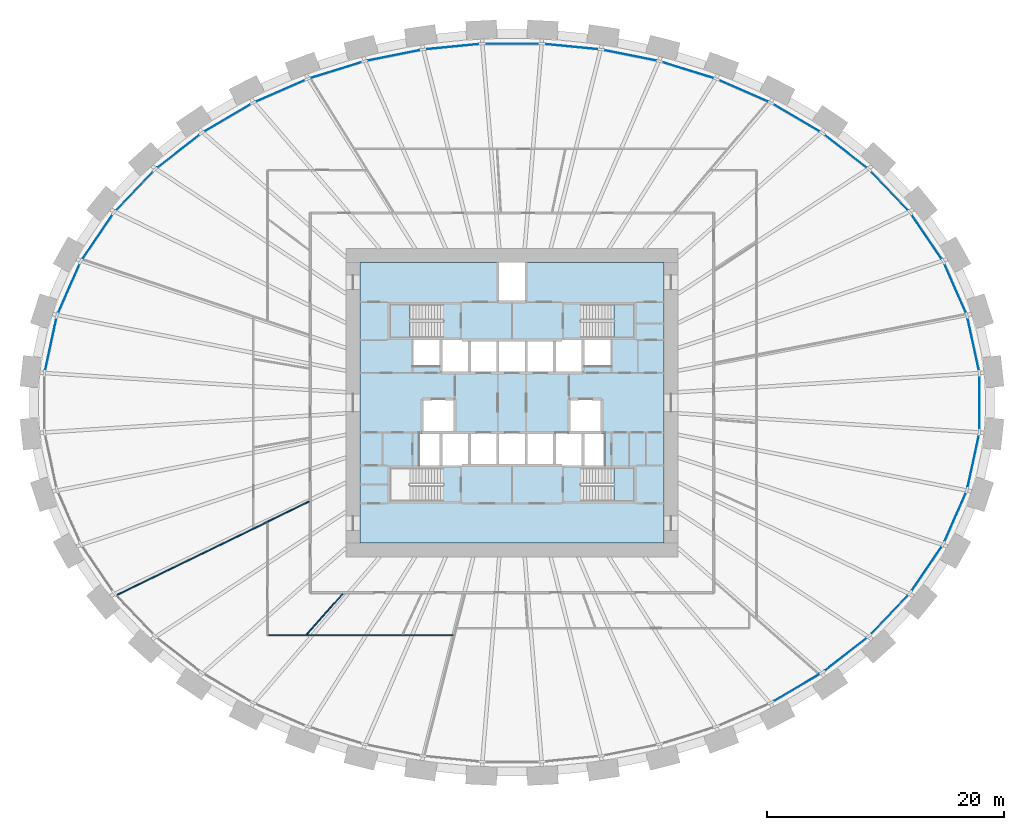
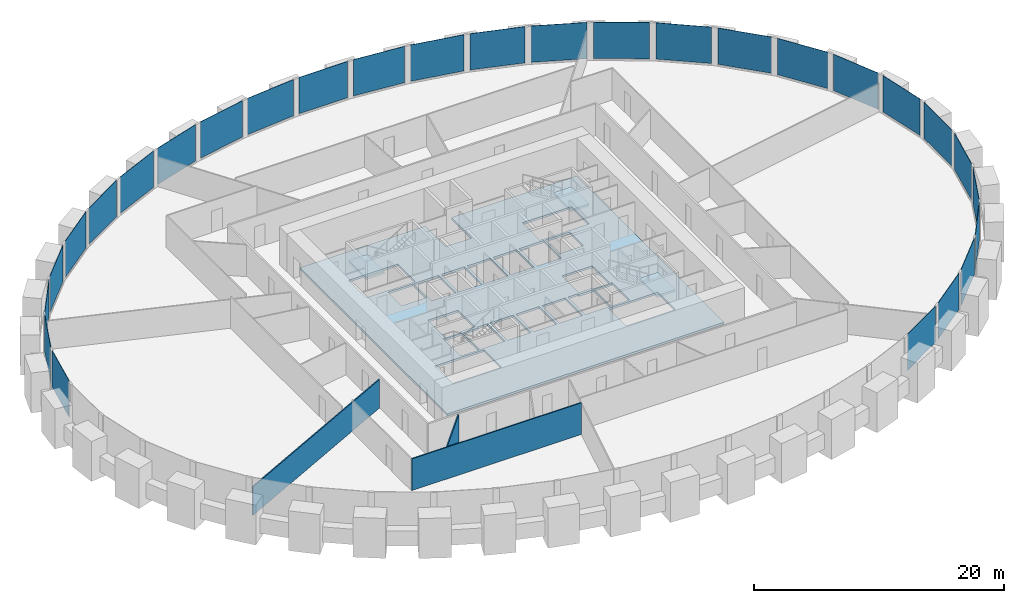
# One storey, part 5 of 11: 28 plates, 4 slabs, 3 walls, 4 elements without a shape of their own.
"""IFC4 building model written with IfcOpenShell, lengths in metres."""

from ifc_helpers import new_model, si_unit, direction, frame, frame_2d, origin, origin_2d, place, context, subcontext, project, spatial, polyline, rectangle, outline, extrude, source, transform, mapped, material, layer, layer_set, type_object, element, aggregate, save


model = new_model("IFC4")

# Units and contexts
model_context = context("Model", 3, precision=1e-05, world=origin(), true_north=direction((0.0, 1.0)))
body_context = subcontext(model_context, "Body", "Model", "MODEL_VIEW")
ifc_project = project(units=[si_unit("LENGTHUNIT", "METRE"), si_unit("AREAUNIT", "SQUARE_METRE"), si_unit("VOLUMEUNIT", "CUBIC_METRE"), si_unit("PLANEANGLEUNIT", "RADIAN"), si_unit("MASSUNIT", "GRAM", prefix="KILO")], contexts=[model_context])

# Site, building, storey
site_placement = place(None, origin())
site = spatial("IfcSite", under=ifc_project, at=site_placement, CompositionType="ELEMENT")
building_placement = place(site_placement, origin())
building = spatial("IfcBuilding", under=site, at=building_placement, Name="Embergate Tower", CompositionType="ELEMENT")
storey_placement = place(building_placement, frame((0.0, 0.0, 58.10009765625)))
storey = spatial("IfcBuildingStorey", under=building, at=storey_placement, Name="L10", CompositionType="ELEMENT", Elevation=58.10009765625)

# Curtain wall, plates
ifc_material_1 = material(Name="Aluminium and glass", Category="aluminium")
curtain_wall_type = type_object("IfcCurtainWallType", Name="Recessed office glazing", PredefinedType="NOTDEFINED", material=ifc_material_1)
curtain_wall_placement = place(storey_placement, origin())
curtain_wall = element("IfcCurtainWall", 1, at=curtain_wall_placement, inside=storey, type_object=curtain_wall_type, Name="Recessed office glazing ring", ObjectType="RECESSED OFFICE GLAZING", PredefinedType="USERDEFINED")
ifc_material_2 = material(Name="Triple glazing, low-emissivity coating", Category="glass")
ifc_layer_1 = layer(ifc_material_2, 0.035888671875)
ifc_layer_set_1 = layer_set([ifc_layer_1], Name="Triple glazing, low-emissivity coating")
plate_type = type_object("IfcPlateType", Name="Office glazing unit", PredefinedType="CURTAIN_PANEL", material=ifc_layer_set_1)
shared_shape_1 = source(origin(), body_context, "Body", "SweptSolid", [
    extrude(rectangle(XDim=4.453857421875, YDim=0.035888671875, at=origin_2d()), origin(), (0.0, 0.0, 1.0), 3.550048828125),
])
plate_1_placement = place(storey_placement, frame((38.87060546875, 4.916748046875, 0.14990234375), z_axis=(0.0, 0.0, 1.0), x_axis=(-0.210391566126, 0.977617199574, 0.0)))
plate_1 = element("IfcPlate", 2, at=plate_1_placement, type_object=plate_type, Name="CW panel 1.1", PredefinedType="CURTAIN_PANEL", context=body_context, shape_type="MappedRepresentation", body=[
    mapped(shared_shape_1, transform((0.0, 0.0, 0.0))),
])
plate_2_placement = place(storey_placement, frame((-38.87060546875, 4.916748046875, 0.14990234375), z_axis=(0.0, 0.0, 1.0), x_axis=(-0.210391566126, -0.977617199574, 0.0)))
plate_2 = element("IfcPlate", 3, at=plate_2_placement, type_object=plate_type, Name="CW panel 21.1", PredefinedType="CURTAIN_PANEL", context=body_context, shape_type="MappedRepresentation", body=[
    mapped(shared_shape_1, transform((0.0, 0.0, 0.0))),
])
plate_3_placement = place(storey_placement, frame((38.87060546875, -4.916748046875, 0.14990234375), z_axis=(0.0, 0.0, 1.0), x_axis=(0.210391566126, 0.977617199574, 0.0)))
plate_3 = element("IfcPlate", 4, at=plate_3_placement, type_object=plate_type, Name="CW panel 43.1", PredefinedType="CURTAIN_PANEL", context=body_context, shape_type="MappedRepresentation", body=[
    mapped(shared_shape_1, transform((0.0, 0.0, 0.0))),
])
shared_shape_2 = source(origin(), body_context, "Body", "SweptSolid", [
    extrude(rectangle(XDim=4.460693359375, YDim=0.035888671875, at=origin_2d()), origin(), (0.0, 0.0, 1.0), 3.550048828125),
])
plate_4_placement = place(storey_placement, frame((37.34716796875, 9.628662109375, 0.14990234375), z_axis=(0.0, 0.0, 1.0), x_axis=(-0.401644109346, 0.915795833921, 0.0)))
plate_4 = element("IfcPlate", 5, at=plate_4_placement, type_object=plate_type, Name="CW panel 2.1", PredefinedType="CURTAIN_PANEL", context=body_context, shape_type="MappedRepresentation", body=[
    mapped(shared_shape_2, transform((0.0, 0.0, 0.0))),
])
plate_5_placement = place(storey_placement, frame((-37.34716796875, 9.628662109375, 0.14990234375), z_axis=(0.0, 0.0, 1.0), x_axis=(-0.401644109346, -0.915795833921, 0.0)))
plate_5 = element("IfcPlate", 6, at=plate_5_placement, type_object=plate_type, Name="CW panel 20.1", PredefinedType="CURTAIN_PANEL", context=body_context, shape_type="MappedRepresentation", body=[
    mapped(shared_shape_2, transform((0.0, 0.0, 0.0))),
])
plate_6_placement = place(storey_placement, frame((37.34716796875, -9.628662109375, 0.14990234375), z_axis=(0.0, 0.0, 1.0), x_axis=(0.401644109346, 0.915795833921, 0.0)))
plate_6 = element("IfcPlate", 7, at=plate_6_placement, type_object=plate_type, Name="CW panel 42.1", PredefinedType="CURTAIN_PANEL", context=body_context, shape_type="MappedRepresentation", body=[
    mapped(shared_shape_2, transform((0.0, 0.0, 0.0))),
])
shared_shape_3 = source(origin(), body_context, "Body", "SweptSolid", [
    extrude(rectangle(XDim=4.4697265625, YDim=0.035888671875, at=origin_2d()), origin(), (0.0, 0.0, 1.0), 3.550048828125),
])
plate_7_placement = place(storey_placement, frame((34.94384765625, 13.972412109375, 0.14990234375), z_axis=(0.0, 0.0, 1.0), x_axis=(-0.562331639324, 0.826911801473, 0.0)))
plate_7 = element("IfcPlate", 8, at=plate_7_placement, type_object=plate_type, Name="CW panel 3.1", PredefinedType="CURTAIN_PANEL", context=body_context, shape_type="MappedRepresentation", body=[
    mapped(shared_shape_3, transform((0.0, 0.0, 0.0))),
])
plate_8_placement = place(storey_placement, frame((-34.94384765625, 13.972412109375, 0.14990234375), z_axis=(0.0, 0.0, 1.0), x_axis=(-0.562331639324, -0.826911801473, 0.0)))
plate_8 = element("IfcPlate", 9, at=plate_8_placement, type_object=plate_type, Name="CW panel 19.1", PredefinedType="CURTAIN_PANEL", context=body_context, shape_type="MappedRepresentation", body=[
    mapped(shared_shape_3, transform((0.0, 0.0, 0.0))),
])
plate_9_placement = place(storey_placement, frame((34.94384765625, -13.972412109375, 0.14990234375), z_axis=(0.0, 0.0, 1.0), x_axis=(0.562331639324, 0.826911801473, 0.0)))
plate_9 = element("IfcPlate", 10, at=plate_9_placement, type_object=plate_type, Name="CW panel 41.1", PredefinedType="CURTAIN_PANEL", context=body_context, shape_type="MappedRepresentation", body=[
    mapped(shared_shape_3, transform((0.0, 0.0, 0.0))),
])
shared_shape_4 = source(origin(), body_context, "Body", "SweptSolid", [
    extrude(rectangle(XDim=4.478515625, YDim=0.035888671875, at=origin_2d()), origin(), (0.0, 0.0, 1.0), 3.550048828125),
])
plate_10_placement = place(storey_placement, frame((31.816162109375, 17.84423828125, 0.14990234375), z_axis=(0.0, 0.0, 1.0), x_axis=(-0.690124942972, 0.723690239735, 0.0)))
plate_10 = element("IfcPlate", 11, at=plate_10_placement, type_object=plate_type, Name="CW panel 4.1", PredefinedType="CURTAIN_PANEL", context=body_context, shape_type="MappedRepresentation", body=[
    mapped(shared_shape_4, transform((0.0, 0.0, 0.0))),
])
plate_11_placement = place(storey_placement, frame((-31.816162109375, 17.84423828125, 0.14990234375), z_axis=(0.0, 0.0, 1.0), x_axis=(-0.690124942972, -0.723690239735, 0.0)))
plate_11 = element("IfcPlate", 12, at=plate_11_placement, type_object=plate_type, Name="CW panel 18.1", PredefinedType="CURTAIN_PANEL", context=body_context, shape_type="MappedRepresentation", body=[
    mapped(shared_shape_4, transform((0.0, 0.0, 0.0))),
])
plate_12_placement = place(storey_placement, frame((31.816162109375, -17.84423828125, 0.14990234375), z_axis=(0.0, 0.0, 1.0), x_axis=(0.690124942972, 0.723690239735, 0.0)))
plate_12 = element("IfcPlate", 13, at=plate_12_placement, type_object=plate_type, Name="CW panel 40.1", PredefinedType="CURTAIN_PANEL", context=body_context, shape_type="MappedRepresentation", body=[
    mapped(shared_shape_4, transform((0.0, 0.0, 0.0))),
])
shared_shape_5 = source(origin(), body_context, "Body", "SweptSolid", [
    extrude(rectangle(XDim=4.486083984375, YDim=0.035888671875, at=origin_2d()), origin(), (0.0, 0.0, 1.0), 3.550048828125),
])
plate_13_placement = place(storey_placement, frame((28.1181640625, 21.19287109375, 0.14990234375), z_axis=(0.0, 0.0, 1.0), x_axis=(-0.788312602312, 0.615274931259, 0.0)))
plate_13 = element("IfcPlate", 14, at=plate_13_placement, type_object=plate_type, Name="CW panel 5.1", PredefinedType="CURTAIN_PANEL", context=body_context, shape_type="MappedRepresentation", body=[
    mapped(shared_shape_5, transform((0.0, 0.0, 0.0))),
])
plate_14_placement = place(storey_placement, frame((-28.1181640625, 21.19287109375, 0.14990234375), z_axis=(0.0, 0.0, 1.0), x_axis=(-0.788312602312, -0.615274931259, 0.0)))
plate_14 = element("IfcPlate", 15, at=plate_14_placement, type_object=plate_type, Name="CW panel 17.1", PredefinedType="CURTAIN_PANEL", context=body_context, shape_type="MappedRepresentation", body=[
    mapped(shared_shape_5, transform((0.0, 0.0, 0.0))),
])
plate_15_placement = place(storey_placement, frame((28.1181640625, -21.19287109375, 0.14990234375), z_axis=(0.0, 0.0, 1.0), x_axis=(0.788312602312, 0.615274931259, 0.0)))
plate_15 = element("IfcPlate", 16, at=plate_15_placement, type_object=plate_type, Name="CW panel 39.1", PredefinedType="CURTAIN_PANEL", context=body_context, shape_type="MappedRepresentation", body=[
    mapped(shared_shape_5, transform((0.0, 0.0, 0.0))),
])
shared_shape_6 = source(origin(), body_context, "Body", "SweptSolid", [
    extrude(rectangle(XDim=4.491943359375, YDim=0.035888671875, at=origin_2d()), origin(), (0.0, 0.0, 1.0), 3.550048828125),
])
plate_16_placement = place(storey_placement, frame((23.98486328125, 24.0029296875, 0.14990234375), z_axis=(0.0, 0.0, 1.0), x_axis=(-0.86204786038, 0.506826880122, 0.0)))
plate_16 = element("IfcPlate", 17, at=plate_16_placement, type_object=plate_type, Name="CW panel 6.1", PredefinedType="CURTAIN_PANEL", context=body_context, shape_type="MappedRepresentation", body=[
    mapped(shared_shape_6, transform((0.0, 0.0, 0.0))),
])
plate_17_placement = place(storey_placement, frame((-23.98486328125, 24.0029296875, 0.14990234375), z_axis=(0.0, 0.0, 1.0), x_axis=(-0.86204786038, -0.506826880122, 0.0)))
plate_17 = element("IfcPlate", 18, at=plate_17_placement, type_object=plate_type, Name="CW panel 16.1", PredefinedType="CURTAIN_PANEL", context=body_context, shape_type="MappedRepresentation", body=[
    mapped(shared_shape_6, transform((0.0, 0.0, 0.0))),
])
plate_18_placement = place(storey_placement, frame((23.98486328125, -24.0029296875, 0.14990234375), z_axis=(0.0, 0.0, 1.0), x_axis=(0.86204786038, 0.506826880122, 0.0)))
plate_18 = element("IfcPlate", 19, at=plate_18_placement, type_object=plate_type, Name="CW panel 38.1", PredefinedType="CURTAIN_PANEL", context=body_context, shape_type="MappedRepresentation", body=[
    mapped(shared_shape_6, transform((0.0, 0.0, 0.0))),
])
shared_shape_7 = source(origin(), body_context, "Body", "SweptSolid", [
    extrude(rectangle(XDim=4.49658203125, YDim=0.035888671875, at=origin_2d()), origin(), (0.0, 0.0, 1.0), 3.550048828125),
])
plate_19_placement = place(storey_placement, frame((19.5263671875, 26.278076171875, 0.14990234375), z_axis=(0.0, 0.0, 1.0), x_axis=(-0.916232715476, 0.400646491426, 0.0)))
plate_19 = element("IfcPlate", 20, at=plate_19_placement, type_object=plate_type, Name="CW panel 7.1", PredefinedType="CURTAIN_PANEL", context=body_context, shape_type="MappedRepresentation", body=[
    mapped(shared_shape_7, transform((0.0, 0.0, 0.0))),
])
plate_20_placement = place(storey_placement, frame((-19.5263671875, 26.278076171875, 0.14990234375), z_axis=(0.0, 0.0, 1.0), x_axis=(-0.916232715476, -0.400646491426, 0.0)))
plate_20 = element("IfcPlate", 21, at=plate_20_placement, type_object=plate_type, Name="CW panel 15.1", PredefinedType="CURTAIN_PANEL", context=body_context, shape_type="MappedRepresentation", body=[
    mapped(shared_shape_7, transform((0.0, 0.0, 0.0))),
])
shared_shape_8 = source(origin(), body_context, "Body", "SweptSolid", [
    extrude(rectangle(XDim=4.5, YDim=0.035888671875, at=origin_2d()), origin(), (0.0, 0.0, 1.0), 3.550048828125),
])
plate_21_placement = place(storey_placement, frame((14.831787109375, 28.029296875, 0.14990234375), z_axis=(0.0, 0.0, 1.0), x_axis=(-0.954770141339, 0.297344879236, 0.0)))
plate_21 = element("IfcPlate", 22, at=plate_21_placement, type_object=plate_type, Name="CW panel 8.1", PredefinedType="CURTAIN_PANEL", context=body_context, shape_type="MappedRepresentation", body=[
    mapped(shared_shape_8, transform((0.0, 0.0, 0.0))),
])
plate_22_placement = place(storey_placement, frame((-14.831787109375, 28.029296875, 0.14990234375), z_axis=(0.0, 0.0, 1.0), x_axis=(-0.954770141339, -0.297344879236, 0.0)))
plate_22 = element("IfcPlate", 23, at=plate_22_placement, type_object=plate_type, Name="CW panel 14.1", PredefinedType="CURTAIN_PANEL", context=body_context, shape_type="MappedRepresentation", body=[
    mapped(shared_shape_8, transform((0.0, 0.0, 0.0))),
])
shared_shape_9 = source(origin(), body_context, "Body", "SweptSolid", [
    extrude(rectangle(XDim=4.502197265625, YDim=0.035888671875, at=origin_2d()), origin(), (0.0, 0.0, 1.0), 3.550048828125),
])
plate_23_placement = place(storey_placement, frame((9.97314453125, 29.269287109375, 0.14990234375), z_axis=(0.0, 0.0, 1.0), x_axis=(-0.980474877795, 0.196644384646, 0.0)))
plate_23 = element("IfcPlate", 24, at=plate_23_placement, type_object=plate_type, Name="CW panel 9.1", PredefinedType="CURTAIN_PANEL", context=body_context, shape_type="MappedRepresentation", body=[
    mapped(shared_shape_9, transform((0.0, 0.0, 0.0))),
])
plate_24_placement = place(storey_placement, frame((-9.97314453125, 29.269287109375, 0.14990234375), z_axis=(0.0, 0.0, 1.0), x_axis=(-0.980474877795, -0.196644384646, 0.0)))
plate_24 = element("IfcPlate", 25, at=plate_24_placement, type_object=plate_type, Name="CW panel 13.1", PredefinedType="CURTAIN_PANEL", context=body_context, shape_type="MappedRepresentation", body=[
    mapped(shared_shape_9, transform((0.0, 0.0, 0.0))),
])
shared_shape_10 = source(origin(), body_context, "Body", "SweptSolid", [
    extrude(rectangle(XDim=4.50341796875, YDim=0.035888671875, at=origin_2d()), origin(), (0.0, 0.0, 1.0), 3.550048828125),
])
plate_25_placement = place(storey_placement, frame((5.01171875, 30.009033203125, 0.14990234375), z_axis=(0.0, 0.0, 1.0), x_axis=(-0.995203014042, 0.097831287645, 0.0)))
plate_25 = element("IfcPlate", 26, at=plate_25_placement, type_object=plate_type, Name="CW panel 10.1", PredefinedType="CURTAIN_PANEL", context=body_context, shape_type="MappedRepresentation", body=[
    mapped(shared_shape_10, transform((0.0, 0.0, 0.0))),
])
plate_26_placement = place(storey_placement, frame((-5.01171875, 30.009033203125, 0.14990234375), z_axis=(0.0, 0.0, 1.0), x_axis=(-0.995203014042, -0.097831287645, 0.0)))
plate_26 = element("IfcPlate", 27, at=plate_26_placement, type_object=plate_type, Name="CW panel 12.1", PredefinedType="CURTAIN_PANEL", context=body_context, shape_type="MappedRepresentation", body=[
    mapped(shared_shape_10, transform((0.0, 0.0, 0.0))),
])
shared_shape_11 = source(origin(), body_context, "Body", "SweptSolid", [
    extrude(rectangle(XDim=4.50390625, YDim=0.035888671875, at=origin_2d()), origin(), (0.0, 0.0, 1.0), 3.550048828125),
])
plate_27_placement = place(storey_placement, frame((0.0, 30.254638671875, 0.14990234375), z_axis=(0.0, 0.0, 1.0), x_axis=(-1.0, 0.0, 0.0)))
plate_27 = element("IfcPlate", 28, at=plate_27_placement, type_object=plate_type, Name="CW panel 11.1", PredefinedType="CURTAIN_PANEL", context=body_context, shape_type="MappedRepresentation", body=[
    mapped(shared_shape_11, transform((0.0, 0.0, 0.0))),
])
shared_shape_12 = source(origin(), body_context, "Body", "SweptSolid", [
    extrude(rectangle(XDim=4.451171875, YDim=0.035888671875, at=origin_2d()), origin(), (0.0, 0.0, 1.0), 3.550048828125),
])
plate_28_placement = place(storey_placement, frame((39.393798828125, 0.0, 0.14990234375), z_axis=(0.0, 0.0, 1.0), x_axis=(0.0, 1.0, 0.0)))
plate_28 = element("IfcPlate", 29, at=plate_28_placement, type_object=plate_type, Name="CW panel 44.1", PredefinedType="CURTAIN_PANEL", context=body_context, shape_type="MappedRepresentation", body=[
    mapped(shared_shape_12, transform((0.0, 0.0, 0.0))),
])
aggregate(curtain_wall, [plate_1, plate_4, plate_7, plate_10, plate_13, plate_16, plate_19, plate_21, plate_23, plate_25, plate_27, plate_26, plate_24, plate_22, plate_20, plate_17, plate_14, plate_11, plate_8, plate_5, plate_2, plate_18, plate_15, plate_12, plate_9, plate_6, plate_3, plate_28])

# Stair, slab
ifc_material_3 = material(Name="Exit stair")
stair_type = type_object("IfcStairType", Name="Exit stair", PredefinedType="HALF_TURN_STAIR", material=ifc_material_3)
stair_1_placement = place(storey_placement, origin())
stair_1 = element("IfcStair", 30, at=stair_1_placement, inside=storey, type_object=stair_type, Name="L10 Exit stair 1", PredefinedType="HALF_TURN_STAIR")
ifc_material_4 = material(Name="Concrete C40", Category="concrete")
ifc_layer_2 = layer(ifc_material_4, 0.199951171875)
ifc_layer_set_2 = layer_set([ifc_layer_2], Name="Concrete C40")
slab_type_1 = type_object("IfcSlabType", Name="Stair landing reinforced concrete", PredefinedType="LANDING", material=ifc_layer_set_2)
shared_shape_13 = source(origin(), body_context, "Body", "SweptSolid", [
    extrude(outline(polyline([(0.0, 0.0), (1.68994140625, 0.0), (1.68994140625, 2.800048828125), (0.0, 2.800048828125), (0.0, 0.0)])), origin(), (0.0, 0.0, 1.0), 0.199951171875),
])
slab_1_placement = place(storey_placement, frame((-10.300048828125, 5.5, 1.75)))
slab_1 = element("IfcSlab", 31, at=slab_1_placement, type_object=slab_type_1, Name="ST1 landing 1", PredefinedType="LANDING", context=body_context, shape_type="MappedRepresentation", body=[
    mapped(shared_shape_13, transform((0.0, 0.0, 0.0))),
])
aggregate(stair_1, [slab_1])

stair_2_placement = place(storey_placement, origin())
stair_2 = element("IfcStair", 32, at=stair_2_placement, inside=storey, type_object=stair_type, Name="L10 Exit stair 2", PredefinedType="HALF_TURN_STAIR")
slab_2_placement = place(storey_placement, frame((8.610107421875, 5.5, 1.75)))
slab_2 = element("IfcSlab", 33, at=slab_2_placement, type_object=slab_type_1, Name="ST2 landing 1", PredefinedType="LANDING", context=body_context, shape_type="MappedRepresentation", body=[
    mapped(shared_shape_13, transform((0.0, 0.0, 0.0))),
])
aggregate(stair_2, [slab_2])

stair_3_placement = place(storey_placement, origin())
stair_3 = element("IfcStair", 34, at=stair_3_placement, inside=storey, type_object=stair_type, Name="L10 Exit stair 4", PredefinedType="HALF_TURN_STAIR")
slab_3_placement = place(storey_placement, frame((8.610107421875, -8.300048828125, 1.75)))
slab_3 = element("IfcSlab", 35, at=slab_3_placement, type_object=slab_type_1, Name="ST4 landing 1", PredefinedType="LANDING", context=body_context, shape_type="MappedRepresentation", body=[
    mapped(shared_shape_13, transform((0.0, 0.0, 0.0))),
])
aggregate(stair_3, [slab_3])

# Slab
ifc_layer_3 = layer(ifc_material_4, 0.199951171875)
ifc_layer_set_3 = layer_set([ifc_layer_3], Name="Concrete C40")
slab_type_2 = type_object("IfcSlabType", Name="Core floor slab 200 reinforced concrete", PredefinedType="FLOOR", material=ifc_layer_set_3)
shared_shape_14 = source(origin(), body_context, "Body", "SweptSolid", [
    extrude(outline(polyline([(0.0, 0.0), (25.60009765625, 0.0), (25.60009765625, 23.60009765625), (14.0, 23.60009765625), (14.0, 20.300048828125), (11.60009765625, 20.300048828125), (11.60009765625, 23.60009765625), (0.0, 23.60009765625), (0.0, 0.0)]), holes=[polyline([(2.5, 3.5), (2.5, 6.300048828125), (7.0400390625, 6.300048828125), (7.0400390625, 3.5), (2.5, 3.5)]), polyline([(18.56005859375, 3.5), (18.56005859375, 6.300048828125), (23.10009765625, 6.300048828125), (23.10009765625, 3.5), (18.56005859375, 3.5)]), polyline([(5.0, 6.5), (5.0, 9.300048828125), (5.074951171875, 9.300048828125), (5.074951171875, 9.175048828125), (6.675048828125, 9.175048828125), (6.675048828125, 6.5), (5.0, 6.5)]), polyline([(6.800048828125, 6.5), (6.800048828125, 9.175048828125), (8.125, 9.175048828125), (8.125, 9.300048828125), (9.074951171875, 9.300048828125), (9.074951171875, 6.5), (6.800048828125, 6.5)]), polyline([(9.324951171875, 6.5), (9.324951171875, 9.300048828125), (11.47509765625, 9.300048828125), (11.47509765625, 6.5), (9.324951171875, 6.5)]), polyline([(11.72509765625, 6.5), (11.72509765625, 9.300048828125), (13.875, 9.300048828125), (13.875, 6.5), (11.72509765625, 6.5)]), polyline([(14.125, 6.5), (14.125, 9.300048828125), (16.275146484375, 9.300048828125), (16.275146484375, 6.5), (14.125, 6.5)]), polyline([(16.525146484375, 6.5), (16.525146484375, 9.300048828125), (17.47509765625, 9.300048828125), (17.47509765625, 9.175048828125), (18.800048828125, 9.175048828125), (18.800048828125, 6.5), (16.525146484375, 6.5)]), polyline([(18.925048828125, 6.5), (18.925048828125, 9.175048828125), (20.525146484375, 9.175048828125), (20.525146484375, 9.300048828125), (20.60009765625, 9.300048828125), (20.60009765625, 6.5), (18.925048828125, 6.5)]), polyline([(5.199951171875, 9.300048828125), (5.199951171875, 12.10009765625), (8.0, 12.10009765625), (8.0, 9.425048828125), (6.675048828125, 9.425048828125), (6.675048828125, 9.300048828125), (5.199951171875, 9.300048828125)]), polyline([(18.925048828125, 9.300048828125), (18.925048828125, 9.425048828125), (17.60009765625, 9.425048828125), (17.60009765625, 12.10009765625), (20.400146484375, 12.10009765625), (20.400146484375, 9.300048828125), (18.925048828125, 9.300048828125)]), polyline([(6.800048828125, 14.300048828125), (6.800048828125, 17.10009765625), (9.074951171875, 17.10009765625), (9.074951171875, 14.300048828125), (6.800048828125, 14.300048828125)]), polyline([(9.324951171875, 14.300048828125), (9.324951171875, 17.10009765625), (11.47509765625, 17.10009765625), (11.47509765625, 14.300048828125), (9.324951171875, 14.300048828125)]), polyline([(11.72509765625, 14.300048828125), (11.72509765625, 17.10009765625), (13.875, 17.10009765625), (13.875, 14.300048828125), (11.72509765625, 14.300048828125)]), polyline([(14.125, 14.300048828125), (14.125, 17.10009765625), (16.275146484375, 17.10009765625), (16.275146484375, 14.300048828125), (14.125, 14.300048828125)]), polyline([(16.525146484375, 14.300048828125), (16.525146484375, 17.10009765625), (18.800048828125, 17.10009765625), (18.800048828125, 14.300048828125), (16.525146484375, 14.300048828125)]), polyline([(4.400146484375, 14.900146484375), (4.400146484375, 17.10009765625), (6.675048828125, 17.10009765625), (6.675048828125, 14.900146484375), (4.400146484375, 14.900146484375)]), polyline([(18.925048828125, 14.900146484375), (18.925048828125, 17.10009765625), (21.199951171875, 17.10009765625), (21.199951171875, 14.900146484375), (18.925048828125, 14.900146484375)]), polyline([(2.5, 17.300048828125), (2.5, 20.10009765625), (7.0400390625, 20.10009765625), (7.0400390625, 17.300048828125), (2.5, 17.300048828125)]), polyline([(18.56005859375, 17.300048828125), (18.56005859375, 20.10009765625), (23.10009765625, 20.10009765625), (23.10009765625, 17.300048828125), (18.56005859375, 17.300048828125)])]), origin(), (0.0, 0.0, 1.0), 0.2001953125),
])
slab_4_placement = place(storey_placement, frame((-12.800048828125, -11.800048828125, -0.2001953125)))
element("IfcSlab", 36, at=slab_4_placement, inside=storey, type_object=slab_type_2, Name="Core floor slab", PredefinedType="FLOOR", context=body_context, shape_type="MappedRepresentation", body=[
    mapped(shared_shape_14, transform((0.0, 0.0, 0.0))),
])

# Walls
ifc_material_5 = material(Name="Partition dry-lined 100")
ifc_layer_4 = layer(ifc_material_5, 0.10009765625)
ifc_layer_set_4 = layer_set([ifc_layer_4], Name="Partition dry-lined 100")
wall_type = type_object("IfcWallType", Name="Partition dry-lined 100", PredefinedType="PARTITIONING", material=ifc_layer_set_4)
shared_shape_15 = source(origin(), body_context, "Body", "SweptSolid", [
    extrude(rectangle(XDim=4.554443359375, YDim=0.10009765625, at=frame_2d((2.27734375, 0.0))), origin(), (0.0, 0.0, 1.0), 3.099853515625),
])
wall_1_placement = place(storey_placement, frame((-14.27001953125, -16.10791015625, 0.0), z_axis=(0.0, 0.0, 1.0), x_axis=(-0.663091888953, -0.748538006252, 0.0)))
element("IfcWall", 37, at=wall_1_placement, inside=storey, type_object=wall_type, Name="IP-1 wall", PredefinedType="PARTITIONING", context=body_context, shape_type="MappedRepresentation", body=[
    mapped(shared_shape_15, transform((0.0, 0.0, 0.0))),
])
shared_shape_16 = source(origin(), body_context, "Body", "SweptSolid", [
    extrude(rectangle(XDim=15.666015625, YDim=0.10009765625, at=frame_2d((7.8330078125, 0.0))), origin(), (0.0, 0.0, 1.0), 3.099853515625),
])
wall_2_placement = place(storey_placement, frame((-4.93408203125, -19.60009765625, 0.0), z_axis=(0.0, 0.0, 1.0), x_axis=(-1.0, 0.0, 0.0)))
element("IfcWall", 38, at=wall_2_placement, inside=storey, type_object=wall_type, Name="IP-1 wall", PredefinedType="PARTITIONING", context=body_context, shape_type="MappedRepresentation", body=[
    mapped(shared_shape_16, transform((0.0, 0.0, 0.0))),
])
shared_shape_17 = source(origin(), body_context, "Body", "SweptSolid", [
    extrude(rectangle(XDim=18.080078125, YDim=0.10009765625, at=frame_2d((9.0400390625, 0.0))), origin(), (0.0, 0.0, 1.0), 2.7998046875),
])
wall_3_placement = place(storey_placement, frame((-33.35302734375, -16.238037109375, 0.0), z_axis=(0.0, 0.0, 1.0), x_axis=(0.899111298588, 0.43772008493, 0.0)))
element("IfcWall", 39, at=wall_3_placement, inside=storey, type_object=wall_type, Name="IP-1 wall", PredefinedType="PARTITIONING", context=body_context, shape_type="MappedRepresentation", body=[
    mapped(shared_shape_17, transform((0.0, 0.0, 0.0))),
])

save(model, "model.ifc")
